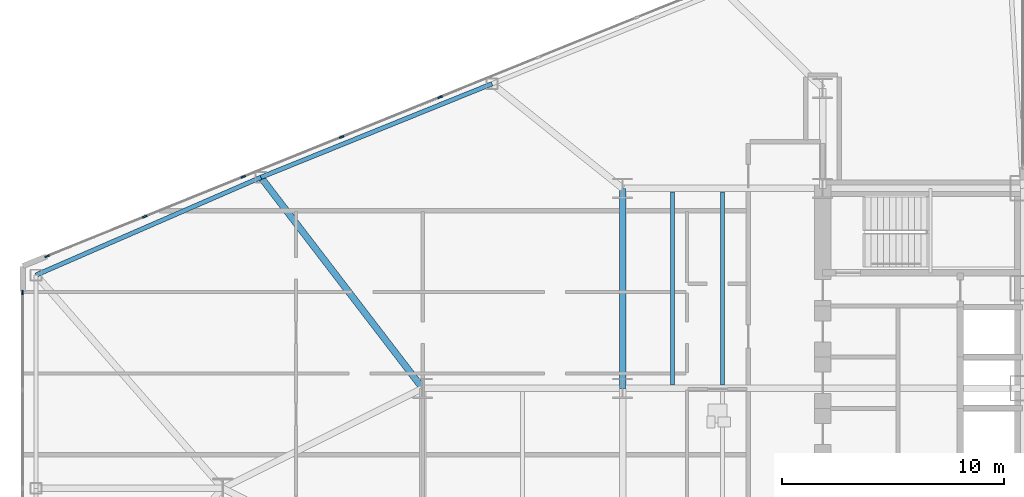
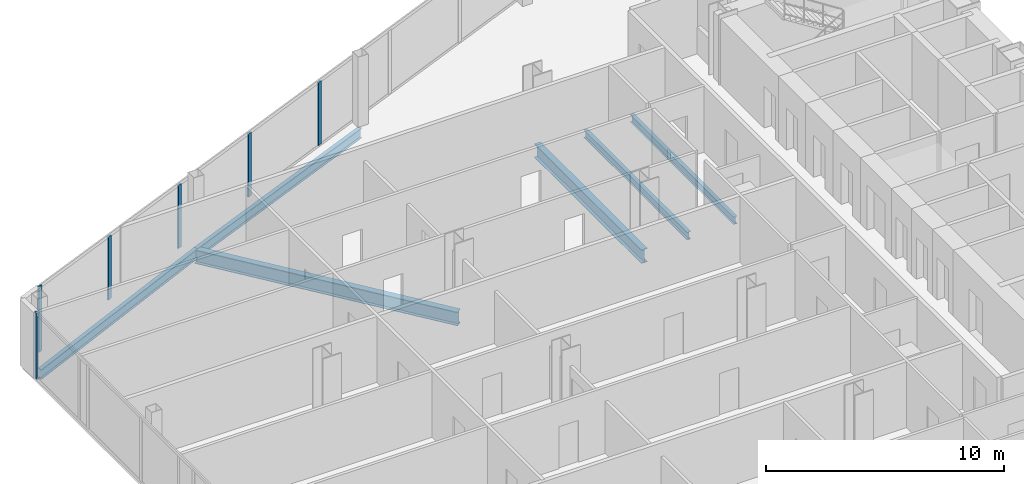
# One storey, part 6 of 25: 6 beams, 6 members, 2 elements without a shape of their own.
"""IFC4 building model written with IfcOpenShell, lengths in metres."""

from ifc_helpers import new_model, si_unit, direction, frame, origin, origin_2d, place, context, subcontext, project, spatial, rectangle, i_section, extrude, source, transform, mapped, material, layer, layer_set, material_profile, profile_set, type_object, type_shapes, element, aggregate, save


model = new_model("IFC4")

# Units and contexts
model_context = context("Model", 3, precision=1e-05, world=origin(), true_north=direction((0.0, 1.0)))
body_context = subcontext(model_context, "Body", "Model", "MODEL_VIEW")
ifc_project = project(units=[si_unit("LENGTHUNIT", "METRE"), si_unit("AREAUNIT", "SQUARE_METRE"), si_unit("VOLUMEUNIT", "CUBIC_METRE"), si_unit("PLANEANGLEUNIT", "RADIAN"), si_unit("MASSUNIT", "GRAM", prefix="KILO")], contexts=[model_context])

# Site, building, storey
site_placement = place(None, origin())
site = spatial("IfcSite", under=ifc_project, at=site_placement, CompositionType="ELEMENT")
building_placement = place(site_placement, origin())
building = spatial("IfcBuilding", under=site, at=building_placement, Name="Seokmaru Belvedere", CompositionType="ELEMENT")
storey_placement = place(building_placement, frame((0.0, 0.0, 58.5)))
storey = spatial("IfcBuildingStorey", under=building, at=storey_placement, Name="L15", CompositionType="ELEMENT", Elevation=58.5)

# Beams
ifc_material_1 = material(Name="Steel SM355 (355 MPa)", Category="steel")
ifc_material_profile_1 = material_profile(ifc_material_1, i_section(OverallWidth=0.300048828125, OverallDepth=0.699951171875, WebThickness=0.012939453125, FlangeThickness=0.02392578125, at=origin_2d()), Name="H-700x300x13x24")
ifc_profile_set_1 = profile_set([ifc_material_profile_1], Name="Steel SM355 (355 MPa)")
beam_type_1 = type_object("IfcBeamType", Name="Primary Floor Girder H-700", PredefinedType="BEAM", material=ifc_profile_set_1)
shared_shape_1 = source(origin(), body_context, "Body", "SweptSolid", [
    extrude(i_section(OverallWidth=0.300048828125, OverallDepth=0.699951171875, WebThickness=0.012939453125, FlangeThickness=0.02392578125, at=origin_2d()), origin(), (0.0, 0.0, 1.0), 9.0),
])
beam_1_placement = place(storey_placement, frame((-45.5, 4.5, -0.570068359375), z_axis=(0.0, 1.0, 0.0), x_axis=(-1.0, 0.0, 0.0)))
element("IfcBeam", 1, at=beam_1_placement, inside=storey, type_object=beam_type_1, Name="L15 W Interior Grid Girder 3", PredefinedType="BEAM", context=body_context, shape_type="MappedRepresentation", body=[
    mapped(shared_shape_1, transform((0.0, 0.0, 0.0), scale=1.0)),
])
ifc_material_profile_2 = material_profile(ifc_material_1, i_section(OverallWidth=0.18505859375, OverallDepth=0.389892578125, WebThickness=0.008056640625, FlangeThickness=0.011962890625, at=origin_2d()), Name="H-390x185x8x12")
ifc_profile_set_2 = profile_set([ifc_material_profile_2], Name="Steel SM355 (355 MPa)")
beam_type_2 = type_object("IfcBeamType", Name="Secondary Floor Joist H-350", PredefinedType="JOIST", material=ifc_profile_set_2)
shared_shape_2 = source(origin(), body_context, "Body", "SweptSolid", [
    extrude(i_section(OverallWidth=0.18505859375, OverallDepth=0.389892578125, WebThickness=0.008056640625, FlangeThickness=0.011962890625, at=origin_2d()), origin(), (0.0, 0.0, 1.0), 8.68994140625),
])
type_shapes(beam_type_2, [shared_shape_2])
for number, where, z_axis, x_axis, name in (
    (2, (-43.25, 4.655029296875, -0.4150390625), (0.0, 1.0, 0.0), (-1.0, 0.0, 0.0), "L15 W Wing Inner Secondary Joist 2"),
    (3, (-41.0, 4.655029296875, -0.4150390625), (0.0, 1.0, 0.0), (-1.0, 0.0, 0.0), "L15 W Secondary Floor Joist 3"),
):
    element("IfcBeam", number, at=place(storey_placement, frame(where, z_axis=z_axis, x_axis=x_axis)), inside=storey, type_object=beam_type_2, Name=name, PredefinedType="JOIST", context=body_context, shape_type="MappedRepresentation", body=[
        mapped(shared_shape_2, transform((0.0, 0.0, 0.0), scale=1.0)),
    ])
ifc_material_profile_3 = material_profile(ifc_material_1, i_section(OverallWidth=0.199951171875, OverallDepth=0.5, WebThickness=0.010009765625, FlangeThickness=0.01611328125, at=origin_2d()), Name="H-500x200x10x16")
ifc_profile_set_3 = profile_set([ifc_material_profile_3], Name="Steel SM355 (355 MPa)")
beam_type_3 = type_object("IfcBeamType", Name="Perimeter Spandrel Beam H-500", PredefinedType="SPANDREL", material=ifc_profile_set_3)
shared_shape_3 = source(origin(), body_context, "Body", "SweptSolid", [
    extrude(i_section(OverallWidth=0.199951171875, OverallDepth=0.5, WebThickness=0.010009765625, FlangeThickness=0.01611328125, at=origin_2d()), origin(), (0.0, 0.0, 1.0), 11.220703125),
])
beam_2_placement = place(storey_placement, frame((-51.378173828125, 18.2041015625, -0.469970703125), z_axis=(-0.926944290816, -0.375198989503, 0.0), x_axis=(0.375198989503, -0.926944290816, 0.0)))
element("IfcBeam", 4, at=beam_2_placement, inside=storey, type_object=beam_type_3, Name="L15 W Faceted Flank Spandrel N-3", PredefinedType="SPANDREL", context=body_context, shape_type="MappedRepresentation", body=[
    mapped(shared_shape_3, transform((0.0, 0.0, 0.0), scale=1.0)),
])
shared_shape_4 = source(origin(), body_context, "Body", "SweptSolid", [
    extrude(i_section(OverallWidth=0.199951171875, OverallDepth=0.5, WebThickness=0.010009765625, FlangeThickness=0.01611328125, at=origin_2d()), origin(), (0.0, 0.0, 1.0), 11.035400390625),
])
type_shapes(beam_type_3, [shared_shape_3, shared_shape_4])
beam_3_placement = place(storey_placement, frame((-61.779052734375, 13.994140625, -0.469970703125), z_axis=(-0.917134058682, -0.398578873507, 0.0), x_axis=(0.398578873507, -0.917134058682, 0.0)))
element("IfcBeam", 5, at=beam_3_placement, inside=storey, type_object=beam_type_3, Name="L15 W Faceted Flank Spandrel N-4", PredefinedType="SPANDREL", context=body_context, shape_type="MappedRepresentation", body=[
    mapped(shared_shape_4, transform((0.0, 0.0, 0.0), scale=1.0)),
])
shared_shape_5 = source(origin(), body_context, "Body", "SweptSolid", [
    extrude(i_section(OverallWidth=0.300048828125, OverallDepth=0.699951171875, WebThickness=0.012939453125, FlangeThickness=0.02392578125, at=origin_2d()), origin(), (0.0, 0.0, 1.0), 11.96337890625),
])
type_shapes(beam_type_1, [shared_shape_1, shared_shape_5])
beam_4_placement = place(storey_placement, frame((-61.779052734375, 13.994140625, -0.570068359375), z_axis=(0.608442682624, -0.793597821294, 0.0), x_axis=(0.793597821294, 0.608442682624, 0.0)))
element("IfcBeam", 6, at=beam_4_placement, inside=storey, type_object=beam_type_1, Name="L15 W Flank Radial Floor Girder N-3", PredefinedType="BEAM", context=body_context, shape_type="MappedRepresentation", body=[
    mapped(shared_shape_5, transform((0.0, 0.0, 0.0), scale=1.0)),
])

# Curtain wall, members
ifc_material_2 = material(Name="Bronze Triple Insulating Glass", Category="glass")
ifc_layer = layer(ifc_material_2, 0.2099609375)
ifc_layer_set = layer_set([ifc_layer], Name="Bronze Triple Insulating Glass")
curtain_wall_type = type_object("IfcCurtainWallType", Name="Low-Rise Faceted Crystal Curtain Wall System CW-2", PredefinedType="NOTDEFINED", material=ifc_layer_set)
curtain_wall_1_placement = place(storey_placement, origin())
curtain_wall_1 = element("IfcCurtainWall", 7, at=curtain_wall_1_placement, inside=storey, type_object=curtain_wall_type, Name="L15 Curtain Wall WF3", PredefinedType="NOTDEFINED")
ifc_material_3 = material(Name="Anodised Bronze Aluminium", Category="aluminium")
ifc_material_profile_4 = material_profile(ifc_material_3, rectangle(XDim=0.074951171875, YDim=0.2099609375, at=origin_2d()), Name="CW-M-75x210")
ifc_profile_set_4 = profile_set([ifc_material_profile_4], Name="Anodised Bronze Aluminium")
member_type = type_object("IfcMemberType", Name="Bronze Unitised Mullion 75x210", PredefinedType="MULLION", material=ifc_profile_set_4)
shared_shape_6 = source(origin(), body_context, "Body", "SweptSolid", [
    extrude(rectangle(XDim=0.074951171875, YDim=0.2099609375, at=origin_2d()), origin(), (0.0, 0.0, 1.0), 3.239990234375),
])
member_1_placement = place(storey_placement, frame((-53.71484375, 17.603515625, 0.070068359375), z_axis=(0.0, 0.0, 1.0), x_axis=(0.375192321888, -0.926946989637, 0.0)))
member_1 = element("IfcMember", 8, at=member_1_placement, type_object=member_type, Name="CW:L15:WF3 Mullion 6", PredefinedType="MULLION", context=body_context, shape_type="MappedRepresentation", body=[
    mapped(shared_shape_6, transform((0.0, 0.0, 0.0), scale=1.0)),
])
member_2_placement = place(storey_placement, frame((-58.144775390625, 15.810546875, 0.070068359375), z_axis=(0.0, 0.0, 1.0), x_axis=(0.375192321888, -0.926946989637, 0.0)))
member_2 = element("IfcMember", 9, at=member_2_placement, type_object=member_type, Name="CW:L15:WF3 Mullion 7", PredefinedType="MULLION", context=body_context, shape_type="MappedRepresentation", body=[
    mapped(shared_shape_6, transform((0.0, 0.0, 0.0), scale=1.0)),
])
member_3_placement = place(storey_placement, frame((-62.574462890625, 14.017578125, 0.070068359375), z_axis=(0.0, 0.0, 1.0), x_axis=(0.375192321888, -0.926946989637, 0.0)))
member_3 = element("IfcMember", 10, at=member_3_placement, type_object=member_type, Name="CW:L15:WF3 Mullion 8", PredefinedType="MULLION", context=body_context, shape_type="MappedRepresentation", body=[
    mapped(shared_shape_6, transform((0.0, 0.0, 0.0), scale=1.0)),
])
member_4_placement = place(storey_placement, frame((-67.004150390625, 12.224609375, 0.070068359375), z_axis=(0.0, 0.0, 1.0), x_axis=(0.375192321888, -0.926946989637, 0.0)))
member_4 = element("IfcMember", 11, at=member_4_placement, type_object=member_type, Name="CW:L15:WF3 Mullion 9", PredefinedType="MULLION", context=body_context, shape_type="MappedRepresentation", body=[
    mapped(shared_shape_6, transform((0.0, 0.0, 0.0), scale=1.0)),
])
shared_shape_7 = source(origin(), body_context, "Body", "SweptSolid", [
    extrude(rectangle(XDim=0.074951171875, YDim=0.2099609375, at=origin_2d()), origin(), (0.0, 0.0, 1.0), 3.3798828125),
])
type_shapes(member_type, [shared_shape_6, shared_shape_7])
member_5_placement = place(storey_placement, frame((-71.399169921875, 10.445556640625, 0.0), z_axis=(0.0, 0.0, 1.0), x_axis=(0.375192321888, -0.926946989637, 0.0)))
member_5 = element("IfcMember", 12, at=member_5_placement, type_object=member_type, Name="CW:L15:WF3 Mullion 10", PredefinedType="MULLION", context=body_context, shape_type="MappedRepresentation", body=[
    mapped(shared_shape_7, transform((0.0, 0.0, 0.0), scale=1.0)),
])
aggregate(curtain_wall_1, [member_1, member_2, member_3, member_4, member_5])

# Curtain wall, member
curtain_wall_2_placement = place(storey_placement, origin())
curtain_wall_2 = element("IfcCurtainWall", 13, at=curtain_wall_2_placement, inside=storey, type_object=curtain_wall_type, Name="L15 Curtain Wall WF4", PredefinedType="NOTDEFINED")
member_6_placement = place(storey_placement, frame((-72.5, 8.8125, 0.0), z_axis=(0.0, 0.0, 1.0), x_axis=(1.0, 0.0, 0.0)))
member_6 = element("IfcMember", 14, at=member_6_placement, type_object=member_type, Name="CW:L15:WF4 Mullion 1", PredefinedType="MULLION", context=body_context, shape_type="MappedRepresentation", body=[
    mapped(shared_shape_7, transform((0.0, 0.0, 0.0), scale=1.0)),
])
aggregate(curtain_wall_2, [member_6])

save(model, "model.ifc")
